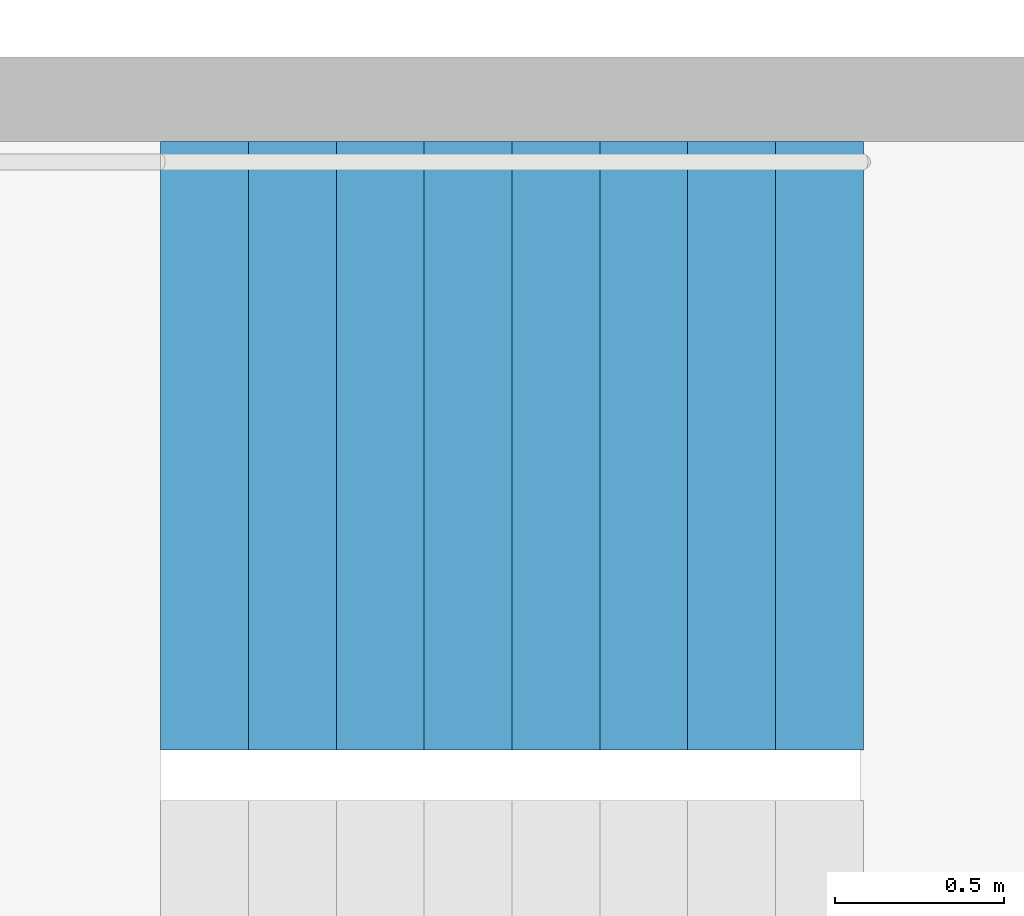
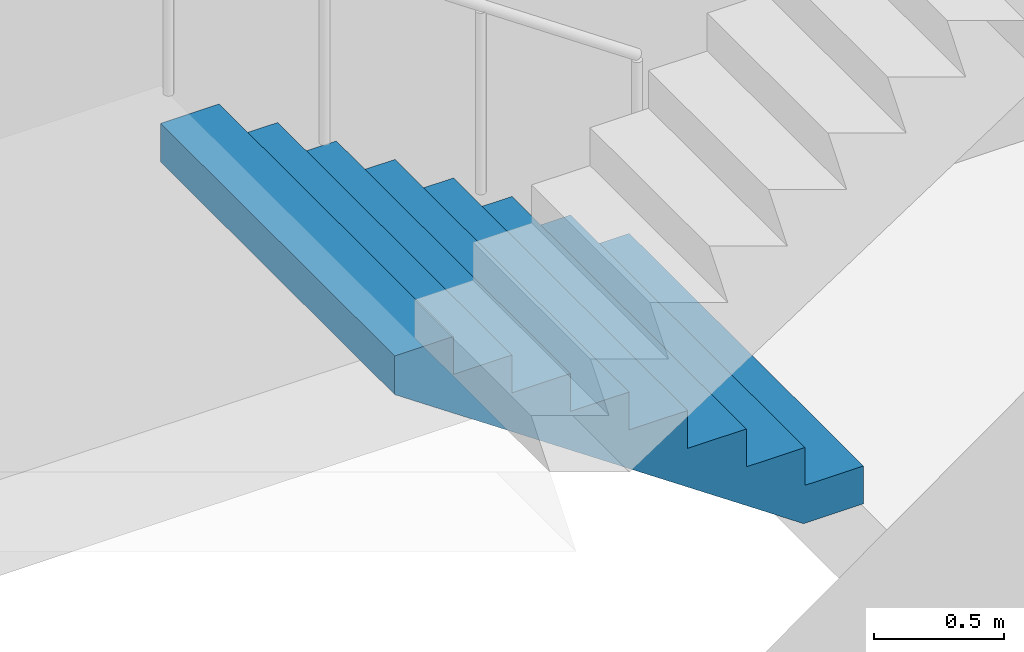
# One storey, part 19 of 26: 1 stair flight, 1 element without a shape of its own.
"""IFC4 building model written with IfcOpenShell, lengths in metres."""

from ifc_helpers import new_model, si_unit, direction, frame, origin, place, context, subcontext, project, spatial, triangles, material, type_object, element, aggregate, save


model = new_model("IFC4")

# Units and contexts
model_context = context("Model", 3, precision=1e-05, world=origin(), true_north=direction((0.0, 1.0)))
body_context = subcontext(model_context, "Body", "Model", "MODEL_VIEW")
ifc_project = project(units=[si_unit("LENGTHUNIT", "METRE"), si_unit("AREAUNIT", "SQUARE_METRE"), si_unit("VOLUMEUNIT", "CUBIC_METRE"), si_unit("PLANEANGLEUNIT", "RADIAN"), si_unit("MASSUNIT", "GRAM", prefix="KILO")], contexts=[model_context])

# Site, building, storey
site_placement = place(None, origin())
site = spatial("IfcSite", under=ifc_project, at=site_placement, CompositionType="ELEMENT")
building_placement = place(site_placement, origin())
building = spatial("IfcBuilding", under=site, at=building_placement, Name="Hakoniwa Tower and Hamabe Station Hall", CompositionType="ELEMENT")
storey_placement = place(building_placement, frame((0.0, 0.0, 225.0)))
storey = spatial("IfcBuildingStorey", under=building, at=storey_placement, Name="L64", CompositionType="ELEMENT", Elevation=225.0)

# Stair, stair flight
ifc_material_1 = material(Name="Concrete C40", Category="concrete")
stair_type = type_object("IfcStairType", Name="ESCAPE STAIR 1800", PredefinedType="HALF_TURN_STAIR", material=ifc_material_1)
stair_placement = place(storey_placement, origin())
stair = element("IfcStair", 1, at=stair_placement, inside=storey, type_object=stair_type, Name="Escape stair ST-2 L64", PredefinedType="HALF_TURN_STAIR")
ifc_material_2 = material(Name="Concrete C40", Category="concrete")
stair_flight_type = type_object("IfcStairFlightType", Name="STAIR FLIGHT 1800", PredefinedType="STRAIGHT", material=ifc_material_2)
stair_flight_placement = place(storey_placement, frame((-23.39990234375, -4.64990234375, 0.0), z_axis=(0.0, 0.0, 1.0), x_axis=(-1.0, 0.0, 0.0)))
stair_flight = element("IfcStairFlight", 2, at=stair_flight_placement, type_object=stair_flight_type, Name="ST-2 flight 1", NumberOfRisers=9, NumberOfTreads=8, PredefinedType="STRAIGHT", RiserHeight=0.177777778, TreadLength=0.26, context=body_context, shape_type="Tessellation", body=[
    triangles([(0.0, 0.89990234375, 0.0), (0.260009765625, 0.89990234375, 0.0), (0.265625, 0.89990234375, 0.0), (0.52001953125, 0.89990234375, 0.174072265625), (0.780029296875, 0.89990234375, 0.351806640625), (1.0400390625, 0.89990234375, 0.529541015625), (1.300048828125, 0.89990234375, 0.707275390625), (1.56005859375, 0.89990234375, 0.885009765625), (1.820068359375, 0.89990234375, 1.062744140625), (2.080078125, 0.89990234375, 1.24072265625), (2.080078125, 0.89990234375, 1.422119140625), (1.820068359375, 0.89990234375, 1.422119140625), (1.820068359375, 0.89990234375, 1.244384765625), (1.56005859375, 0.89990234375, 1.244384765625), (1.56005859375, 0.89990234375, 1.066650390625), (1.300048828125, 0.89990234375, 1.066650390625), (1.300048828125, 0.89990234375, 0.888916015625), (1.0400390625, 0.89990234375, 0.888916015625), (1.0400390625, 0.89990234375, 0.711181640625), (0.780029296875, 0.89990234375, 0.711181640625), (0.780029296875, 0.89990234375, 0.533447265625), (0.52001953125, 0.89990234375, 0.533447265625), (0.52001953125, 0.89990234375, 0.35546875), (0.265625, 0.89990234375, 0.35546875), (0.260009765625, 0.89990234375, 0.35546875), (0.260009765625, 0.89990234375, 0.177734375), (0.0, 0.89990234375, 0.177734375), (0.0, 0.06005859375, 0.0), (0.260009765625, 0.06005859375, 0.0), (0.265625, 0.06005859375, 0.0), (0.52001953125, 0.06005859375, 0.174072265625), (0.780029296875, 0.06005859375, 0.351806640625), (1.0400390625, 0.06005859375, 0.529541015625), (1.300048828125, 0.06005859375, 0.707275390625), (1.56005859375, 0.06005859375, 0.885009765625), (1.820068359375, 0.06005859375, 1.062744140625), (2.080078125, 0.06005859375, 1.24072265625), (2.080078125, 0.06005859375, 1.422119140625), (1.820068359375, 0.06005859375, 1.422119140625), (1.820068359375, 0.06005859375, 1.244384765625), (1.56005859375, 0.06005859375, 1.244384765625), (1.56005859375, 0.06005859375, 1.066650390625), (1.300048828125, 0.06005859375, 1.066650390625), (1.300048828125, 0.06005859375, 0.888916015625), (1.0400390625, 0.06005859375, 0.888916015625), (1.0400390625, 0.06005859375, 0.711181640625), (0.780029296875, 0.06005859375, 0.711181640625), (0.780029296875, 0.06005859375, 0.533447265625), (0.52001953125, 0.06005859375, 0.533447265625), (0.52001953125, 0.06005859375, 0.35546875), (0.265625, 0.06005859375, 0.35546875), (0.260009765625, 0.06005859375, 0.35546875), (0.260009765625, 0.06005859375, 0.177734375), (0.0, 0.06005859375, 0.177734375), (0.0, 0.04296875, 0.0), (0.260009765625, 0.04296875, 0.0), (0.265625, 0.04296875, 0.0), (0.52001953125, 0.04296875, 0.174072265625), (0.780029296875, 0.04296875, 0.351806640625), (1.0400390625, 0.04296875, 0.529541015625), (1.300048828125, 0.04296875, 0.707275390625), (1.56005859375, 0.04296875, 0.885009765625), (1.820068359375, 0.04296875, 1.062744140625), (2.080078125, 0.04296875, 1.24072265625), (2.080078125, 0.04296875, 1.422119140625), (1.820068359375, 0.04296875, 1.422119140625), (1.820068359375, 0.04296875, 1.244384765625), (1.56005859375, 0.04296875, 1.244384765625), (1.56005859375, 0.04296875, 1.066650390625), (1.300048828125, 0.04296875, 1.066650390625), (1.300048828125, 0.04296875, 0.888916015625), (1.0400390625, 0.04296875, 0.888916015625), (1.0400390625, 0.04296875, 0.711181640625), (0.780029296875, 0.04296875, 0.711181640625), (0.780029296875, 0.04296875, 0.533447265625), (0.52001953125, 0.04296875, 0.533447265625), (0.52001953125, 0.04296875, 0.35546875), (0.265625, 0.04296875, 0.35546875), (0.260009765625, 0.04296875, 0.35546875), (0.260009765625, 0.04296875, 0.177734375), (0.0, 0.04296875, 0.177734375), (0.0, 0.025634765625, 0.0), (0.260009765625, 0.025634765625, 0.0), (0.265625, 0.025634765625, 0.0), (0.52001953125, 0.025634765625, 0.174072265625), (0.780029296875, 0.025634765625, 0.351806640625), (1.0400390625, 0.025634765625, 0.529541015625), (1.300048828125, 0.025634765625, 0.707275390625), (1.56005859375, 0.025634765625, 0.885009765625), (1.820068359375, 0.025634765625, 1.062744140625), (2.080078125, 0.025634765625, 1.24072265625), (2.080078125, 0.025634765625, 1.422119140625), (1.820068359375, 0.025634765625, 1.422119140625), (1.820068359375, 0.025634765625, 1.244384765625), (1.56005859375, 0.025634765625, 1.244384765625), (1.56005859375, 0.025634765625, 1.066650390625), (1.300048828125, 0.025634765625, 1.066650390625), (1.300048828125, 0.025634765625, 0.888916015625), (1.0400390625, 0.025634765625, 0.888916015625), (1.0400390625, 0.025634765625, 0.711181640625), (0.780029296875, 0.025634765625, 0.711181640625), (0.780029296875, 0.025634765625, 0.533447265625), (0.52001953125, 0.025634765625, 0.533447265625), (0.52001953125, 0.025634765625, 0.35546875), (0.265625, 0.025634765625, 0.35546875), (0.260009765625, 0.025634765625, 0.35546875), (0.260009765625, 0.025634765625, 0.177734375), (0.0, 0.025634765625, 0.177734375), (0.0, 0.008544921875, 0.0), (0.260009765625, 0.008544921875, 0.0), (0.265625, 0.008544921875, 0.0), (0.52001953125, 0.008544921875, 0.174072265625), (0.780029296875, 0.008544921875, 0.351806640625), (1.0400390625, 0.008544921875, 0.529541015625), (1.300048828125, 0.008544921875, 0.707275390625), (1.56005859375, 0.008544921875, 0.885009765625), (1.820068359375, 0.008544921875, 1.062744140625), (2.080078125, 0.008544921875, 1.24072265625), (2.080078125, 0.008544921875, 1.422119140625), (1.820068359375, 0.008544921875, 1.422119140625), (1.820068359375, 0.008544921875, 1.244384765625), (1.56005859375, 0.008544921875, 1.244384765625), (1.56005859375, 0.008544921875, 1.066650390625), (1.300048828125, 0.008544921875, 1.066650390625), (1.300048828125, 0.008544921875, 0.888916015625), (1.0400390625, 0.008544921875, 0.888916015625), (1.0400390625, 0.008544921875, 0.711181640625), (0.780029296875, 0.008544921875, 0.711181640625), (0.780029296875, 0.008544921875, 0.533447265625), (0.52001953125, 0.008544921875, 0.533447265625), (0.52001953125, 0.008544921875, 0.35546875), (0.265625, 0.008544921875, 0.35546875), (0.260009765625, 0.008544921875, 0.35546875), (0.260009765625, 0.008544921875, 0.177734375), (0.0, 0.008544921875, 0.177734375), (0.0, -0.008544921875, 0.0), (0.260009765625, -0.008544921875, 0.0), (0.265625, -0.008544921875, 0.0), (0.52001953125, -0.008544921875, 0.174072265625), (0.780029296875, -0.008544921875, 0.351806640625), (1.0400390625, -0.008544921875, 0.529541015625), (1.300048828125, -0.008544921875, 0.707275390625), (1.56005859375, -0.008544921875, 0.885009765625), (1.820068359375, -0.008544921875, 1.062744140625), (2.080078125, -0.008544921875, 1.24072265625), (2.080078125, -0.008544921875, 1.422119140625), (1.820068359375, -0.008544921875, 1.422119140625), (1.820068359375, -0.008544921875, 1.244384765625), (1.56005859375, -0.008544921875, 1.244384765625), (1.56005859375, -0.008544921875, 1.066650390625), (1.300048828125, -0.008544921875, 1.066650390625), (1.300048828125, -0.008544921875, 0.888916015625), (1.0400390625, -0.008544921875, 0.888916015625), (1.0400390625, -0.008544921875, 0.711181640625), (0.780029296875, -0.008544921875, 0.711181640625), (0.780029296875, -0.008544921875, 0.533447265625), (0.52001953125, -0.008544921875, 0.533447265625), (0.52001953125, -0.008544921875, 0.35546875), (0.265625, -0.008544921875, 0.35546875), (0.260009765625, -0.008544921875, 0.35546875), (0.260009765625, -0.008544921875, 0.177734375), (0.0, -0.008544921875, 0.177734375), (0.0, -0.025634765625, 0.0), (0.260009765625, -0.025634765625, 0.0), (0.265625, -0.025634765625, 0.0), (0.52001953125, -0.025634765625, 0.174072265625), (0.780029296875, -0.025634765625, 0.351806640625), (1.0400390625, -0.025634765625, 0.529541015625), (1.300048828125, -0.025634765625, 0.707275390625), (1.56005859375, -0.025634765625, 0.885009765625), (1.820068359375, -0.025634765625, 1.062744140625), (2.080078125, -0.025634765625, 1.24072265625), (2.080078125, -0.025634765625, 1.422119140625), (1.820068359375, -0.025634765625, 1.422119140625), (1.820068359375, -0.025634765625, 1.244384765625), (1.56005859375, -0.025634765625, 1.244384765625), (1.56005859375, -0.025634765625, 1.066650390625), (1.300048828125, -0.025634765625, 1.066650390625), (1.300048828125, -0.025634765625, 0.888916015625), (1.0400390625, -0.025634765625, 0.888916015625), (1.0400390625, -0.025634765625, 0.711181640625), (0.780029296875, -0.025634765625, 0.711181640625), (0.780029296875, -0.025634765625, 0.533447265625), (0.52001953125, -0.025634765625, 0.533447265625), (0.52001953125, -0.025634765625, 0.35546875), (0.265625, -0.025634765625, 0.35546875), (0.260009765625, -0.025634765625, 0.35546875), (0.260009765625, -0.025634765625, 0.177734375), (0.0, -0.025634765625, 0.177734375), (0.0, -0.04296875, 0.0), (0.260009765625, -0.04296875, 0.0), (0.265625, -0.04296875, 0.0), (0.52001953125, -0.04296875, 0.174072265625), (0.780029296875, -0.04296875, 0.351806640625), (1.0400390625, -0.04296875, 0.529541015625), (1.300048828125, -0.04296875, 0.707275390625), (1.56005859375, -0.04296875, 0.885009765625), (1.820068359375, -0.04296875, 1.062744140625), (2.080078125, -0.04296875, 1.24072265625), (2.080078125, -0.04296875, 1.422119140625), (1.820068359375, -0.04296875, 1.422119140625), (1.820068359375, -0.04296875, 1.244384765625), (1.56005859375, -0.04296875, 1.244384765625), (1.56005859375, -0.04296875, 1.066650390625), (1.300048828125, -0.04296875, 1.066650390625), (1.300048828125, -0.04296875, 0.888916015625), (1.0400390625, -0.04296875, 0.888916015625), (1.0400390625, -0.04296875, 0.711181640625), (0.780029296875, -0.04296875, 0.711181640625), (0.780029296875, -0.04296875, 0.533447265625), (0.52001953125, -0.04296875, 0.533447265625), (0.52001953125, -0.04296875, 0.35546875), (0.265625, -0.04296875, 0.35546875), (0.260009765625, -0.04296875, 0.35546875), (0.260009765625, -0.04296875, 0.177734375), (0.0, -0.04296875, 0.177734375), (0.0, -0.06005859375, 0.0), (0.260009765625, -0.06005859375, 0.0), (0.265625, -0.06005859375, 0.0), (0.52001953125, -0.06005859375, 0.174072265625), (0.780029296875, -0.06005859375, 0.351806640625), (1.0400390625, -0.06005859375, 0.529541015625), (1.300048828125, -0.06005859375, 0.707275390625), (1.56005859375, -0.06005859375, 0.885009765625), (1.820068359375, -0.06005859375, 1.062744140625), (2.080078125, -0.06005859375, 1.24072265625), (2.080078125, -0.06005859375, 1.422119140625), (1.820068359375, -0.06005859375, 1.422119140625), (1.820068359375, -0.06005859375, 1.244384765625), (1.56005859375, -0.06005859375, 1.244384765625), (1.56005859375, -0.06005859375, 1.066650390625), (1.300048828125, -0.06005859375, 1.066650390625), (1.300048828125, -0.06005859375, 0.888916015625), (1.0400390625, -0.06005859375, 0.888916015625), (1.0400390625, -0.06005859375, 0.711181640625), (0.780029296875, -0.06005859375, 0.711181640625), (0.780029296875, -0.06005859375, 0.533447265625), (0.52001953125, -0.06005859375, 0.533447265625), (0.52001953125, -0.06005859375, 0.35546875), (0.265625, -0.06005859375, 0.35546875), (0.260009765625, -0.06005859375, 0.35546875), (0.260009765625, -0.06005859375, 0.177734375), (0.0, -0.06005859375, 0.177734375), (0.0, -0.89990234375, 0.0), (0.260009765625, -0.89990234375, 0.0), (0.265625, -0.89990234375, 0.0), (0.52001953125, -0.89990234375, 0.174072265625), (0.780029296875, -0.89990234375, 0.351806640625), (1.0400390625, -0.89990234375, 0.529541015625), (1.300048828125, -0.89990234375, 0.707275390625), (1.56005859375, -0.89990234375, 0.885009765625), (1.820068359375, -0.89990234375, 1.062744140625), (2.080078125, -0.89990234375, 1.24072265625), (2.080078125, -0.89990234375, 1.422119140625), (1.820068359375, -0.89990234375, 1.422119140625), (1.820068359375, -0.89990234375, 1.244384765625), (1.56005859375, -0.89990234375, 1.244384765625), (1.56005859375, -0.89990234375, 1.066650390625), (1.300048828125, -0.89990234375, 1.066650390625), (1.300048828125, -0.89990234375, 0.888916015625), (1.0400390625, -0.89990234375, 0.888916015625), (1.0400390625, -0.89990234375, 0.711181640625), (0.780029296875, -0.89990234375, 0.711181640625), (0.780029296875, -0.89990234375, 0.533447265625), (0.52001953125, -0.89990234375, 0.533447265625), (0.52001953125, -0.89990234375, 0.35546875), (0.265625, -0.89990234375, 0.35546875), (0.260009765625, -0.89990234375, 0.35546875), (0.260009765625, -0.89990234375, 0.177734375), (0.0, -0.89990234375, 0.177734375)], [[2, 27, 26], [245, 269, 270], [2, 1, 27], [245, 270, 244], [3, 25, 24], [246, 267, 268], [3, 26, 25], [246, 268, 269], [3, 2, 26], [246, 269, 245], [4, 24, 23], [247, 266, 267], [4, 3, 24], [247, 267, 246], [5, 22, 21], [248, 264, 265], [5, 23, 22], [248, 265, 266], [5, 4, 23], [248, 266, 247], [6, 20, 19], [249, 262, 263], [6, 21, 20], [249, 263, 264], [6, 5, 21], [249, 264, 248], [7, 18, 17], [250, 260, 261], [7, 19, 18], [250, 261, 262], [7, 6, 19], [250, 262, 249], [8, 16, 15], [251, 258, 259], [8, 17, 16], [251, 259, 260], [8, 7, 17], [251, 260, 250], [9, 14, 13], [252, 256, 257], [9, 15, 14], [252, 257, 258], [9, 8, 15], [252, 258, 251], [10, 12, 11], [253, 254, 255], [10, 13, 12], [253, 255, 256], [10, 9, 13], [253, 256, 252], [1, 2, 29], [1, 29, 28], [28, 29, 56], [28, 56, 55], [55, 56, 83], [55, 83, 82], [82, 83, 110], [82, 110, 109], [109, 110, 137], [109, 137, 136], [136, 137, 164], [136, 164, 163], [163, 164, 191], [163, 191, 190], [190, 191, 218], [190, 218, 217], [217, 218, 245], [217, 245, 244], [2, 3, 30], [2, 30, 29], [29, 30, 57], [29, 57, 56], [56, 57, 84], [56, 84, 83], [83, 84, 111], [83, 111, 110], [110, 111, 138], [110, 138, 137], [137, 138, 165], [137, 165, 164], [164, 165, 192], [164, 192, 191], [191, 192, 219], [191, 219, 218], [218, 219, 246], [218, 246, 245], [3, 4, 31], [3, 31, 30], [30, 31, 58], [30, 58, 57], [57, 58, 85], [57, 85, 84], [84, 85, 112], [84, 112, 111], [111, 112, 139], [111, 139, 138], [138, 139, 166], [138, 166, 165], [165, 166, 193], [165, 193, 192], [192, 193, 220], [192, 220, 219], [219, 220, 247], [219, 247, 246], [4, 5, 32], [4, 32, 31], [31, 32, 59], [31, 59, 58], [58, 59, 86], [58, 86, 85], [85, 86, 113], [85, 113, 112], [112, 113, 140], [112, 140, 139], [139, 140, 167], [139, 167, 166], [166, 167, 194], [166, 194, 193], [193, 194, 221], [193, 221, 220], [220, 221, 248], [220, 248, 247], [5, 6, 33], [5, 33, 32], [32, 33, 60], [32, 60, 59], [59, 60, 87], [59, 87, 86], [86, 87, 114], [86, 114, 113], [113, 114, 141], [113, 141, 140], [140, 141, 168], [140, 168, 167], [167, 168, 195], [167, 195, 194], [194, 195, 222], [194, 222, 221], [221, 222, 249], [221, 249, 248], [6, 7, 34], [6, 34, 33], [33, 34, 61], [33, 61, 60], [60, 61, 88], [60, 88, 87], [87, 88, 115], [87, 115, 114], [114, 115, 142], [114, 142, 141], [141, 142, 169], [141, 169, 168], [168, 169, 196], [168, 196, 195], [195, 196, 223], [195, 223, 222], [222, 223, 250], [222, 250, 249], [7, 8, 35], [7, 35, 34], [34, 35, 62], [34, 62, 61], [61, 62, 89], [61, 89, 88], [88, 89, 116], [88, 116, 115], [115, 116, 143], [115, 143, 142], [142, 143, 170], [142, 170, 169], [169, 170, 197], [169, 197, 196], [196, 197, 224], [196, 224, 223], [223, 224, 251], [223, 251, 250], [8, 9, 36], [8, 36, 35], [35, 36, 63], [35, 63, 62], [62, 63, 90], [62, 90, 89], [89, 90, 117], [89, 117, 116], [116, 117, 144], [116, 144, 143], [143, 144, 171], [143, 171, 170], [170, 171, 198], [170, 198, 197], [197, 198, 225], [197, 225, 224], [224, 225, 252], [224, 252, 251], [9, 10, 37], [9, 37, 36], [36, 37, 64], [36, 64, 63], [63, 64, 91], [63, 91, 90], [90, 91, 118], [90, 118, 117], [117, 118, 145], [117, 145, 144], [144, 145, 172], [144, 172, 171], [171, 172, 199], [171, 199, 198], [198, 199, 226], [198, 226, 225], [225, 226, 253], [225, 253, 252], [10, 11, 38], [10, 38, 37], [37, 38, 65], [37, 65, 64], [64, 65, 92], [64, 92, 91], [91, 92, 119], [91, 119, 118], [118, 119, 146], [118, 146, 145], [145, 146, 173], [145, 173, 172], [172, 173, 200], [172, 200, 199], [199, 200, 227], [199, 227, 226], [226, 227, 254], [226, 254, 253], [11, 12, 39], [11, 39, 38], [38, 39, 66], [38, 66, 65], [65, 66, 93], [65, 93, 92], [92, 93, 120], [92, 120, 119], [119, 120, 147], [119, 147, 146], [146, 147, 174], [146, 174, 173], [173, 174, 201], [173, 201, 200], [200, 201, 228], [200, 228, 227], [227, 228, 255], [227, 255, 254], [12, 13, 40], [12, 40, 39], [39, 40, 67], [39, 67, 66], [66, 67, 94], [66, 94, 93], [93, 94, 121], [93, 121, 120], [120, 121, 148], [120, 148, 147], [147, 148, 175], [147, 175, 174], [174, 175, 202], [174, 202, 201], [201, 202, 229], [201, 229, 228], [228, 229, 256], [228, 256, 255], [13, 14, 41], [13, 41, 40], [40, 41, 68], [40, 68, 67], [67, 68, 95], [67, 95, 94], [94, 95, 122], [94, 122, 121], [121, 122, 149], [121, 149, 148], [148, 149, 176], [148, 176, 175], [175, 176, 203], [175, 203, 202], [202, 203, 230], [202, 230, 229], [229, 230, 257], [229, 257, 256], [14, 15, 42], [14, 42, 41], [41, 42, 69], [41, 69, 68], [68, 69, 96], [68, 96, 95], [95, 96, 123], [95, 123, 122], [122, 123, 150], [122, 150, 149], [149, 150, 177], [149, 177, 176], [176, 177, 204], [176, 204, 203], [203, 204, 231], [203, 231, 230], [230, 231, 258], [230, 258, 257], [15, 16, 43], [15, 43, 42], [42, 43, 70], [42, 70, 69], [69, 70, 97], [69, 97, 96], [96, 97, 124], [96, 124, 123], [123, 124, 151], [123, 151, 150], [150, 151, 178], [150, 178, 177], [177, 178, 205], [177, 205, 204], [204, 205, 232], [204, 232, 231], [231, 232, 259], [231, 259, 258], [16, 17, 44], [16, 44, 43], [43, 44, 71], [43, 71, 70], [70, 71, 98], [70, 98, 97], [97, 98, 125], [97, 125, 124], [124, 125, 152], [124, 152, 151], [151, 152, 179], [151, 179, 178], [178, 179, 206], [178, 206, 205], [205, 206, 233], [205, 233, 232], [232, 233, 260], [232, 260, 259], [17, 18, 45], [17, 45, 44], [44, 45, 72], [44, 72, 71], [71, 72, 99], [71, 99, 98], [98, 99, 126], [98, 126, 125], [125, 126, 153], [125, 153, 152], [152, 153, 180], [152, 180, 179], [179, 180, 207], [179, 207, 206], [206, 207, 234], [206, 234, 233], [233, 234, 261], [233, 261, 260], [18, 19, 46], [18, 46, 45], [45, 46, 73], [45, 73, 72], [72, 73, 100], [72, 100, 99], [99, 100, 127], [99, 127, 126], [126, 127, 154], [126, 154, 153], [153, 154, 181], [153, 181, 180], [180, 181, 208], [180, 208, 207], [207, 208, 235], [207, 235, 234], [234, 235, 262], [234, 262, 261], [19, 20, 47], [19, 47, 46], [46, 47, 74], [46, 74, 73], [73, 74, 101], [73, 101, 100], [100, 101, 128], [100, 128, 127], [127, 128, 155], [127, 155, 154], [154, 155, 182], [154, 182, 181], [181, 182, 209], [181, 209, 208], [208, 209, 236], [208, 236, 235], [235, 236, 263], [235, 263, 262], [20, 21, 48], [20, 48, 47], [47, 48, 75], [47, 75, 74], [74, 75, 102], [74, 102, 101], [101, 102, 129], [101, 129, 128], [128, 129, 156], [128, 156, 155], [155, 156, 183], [155, 183, 182], [182, 183, 210], [182, 210, 209], [209, 210, 237], [209, 237, 236], [236, 237, 264], [236, 264, 263], [21, 22, 49], [21, 49, 48], [48, 49, 76], [48, 76, 75], [75, 76, 103], [75, 103, 102], [102, 103, 130], [102, 130, 129], [129, 130, 157], [129, 157, 156], [156, 157, 184], [156, 184, 183], [183, 184, 211], [183, 211, 210], [210, 211, 238], [210, 238, 237], [237, 238, 265], [237, 265, 264], [22, 23, 50], [22, 50, 49], [49, 50, 77], [49, 77, 76], [76, 77, 104], [76, 104, 103], [103, 104, 131], [103, 131, 130], [130, 131, 158], [130, 158, 157], [157, 158, 185], [157, 185, 184], [184, 185, 212], [184, 212, 211], [211, 212, 239], [211, 239, 238], [238, 239, 266], [238, 266, 265], [23, 24, 51], [23, 51, 50], [50, 51, 78], [50, 78, 77], [77, 78, 105], [77, 105, 104], [104, 105, 132], [104, 132, 131], [131, 132, 159], [131, 159, 158], [158, 159, 186], [158, 186, 185], [185, 186, 213], [185, 213, 212], [212, 213, 240], [212, 240, 239], [239, 240, 267], [239, 267, 266], [24, 25, 52], [24, 52, 51], [51, 52, 79], [51, 79, 78], [78, 79, 106], [78, 106, 105], [105, 106, 133], [105, 133, 132], [132, 133, 160], [132, 160, 159], [159, 160, 187], [159, 187, 186], [186, 187, 214], [186, 214, 213], [213, 214, 241], [213, 241, 240], [240, 241, 268], [240, 268, 267], [25, 26, 53], [25, 53, 52], [52, 53, 80], [52, 80, 79], [79, 80, 107], [79, 107, 106], [106, 107, 134], [106, 134, 133], [133, 134, 161], [133, 161, 160], [160, 161, 188], [160, 188, 187], [187, 188, 215], [187, 215, 214], [214, 215, 242], [214, 242, 241], [241, 242, 269], [241, 269, 268], [26, 27, 54], [26, 54, 53], [53, 54, 81], [53, 81, 80], [80, 81, 108], [80, 108, 107], [107, 108, 135], [107, 135, 134], [134, 135, 162], [134, 162, 161], [161, 162, 189], [161, 189, 188], [188, 189, 216], [188, 216, 215], [215, 216, 243], [215, 243, 242], [242, 243, 270], [242, 270, 269], [27, 1, 28], [27, 28, 54], [54, 28, 55], [54, 55, 81], [81, 55, 82], [81, 82, 108], [108, 82, 109], [108, 109, 135], [135, 109, 136], [135, 136, 162], [162, 136, 163], [162, 163, 189], [189, 163, 190], [189, 190, 216], [216, 190, 217], [216, 217, 243], [243, 217, 244], [243, 244, 270]], closed=True),
])
aggregate(stair, [stair_flight])

save(model, "model.ifc")
